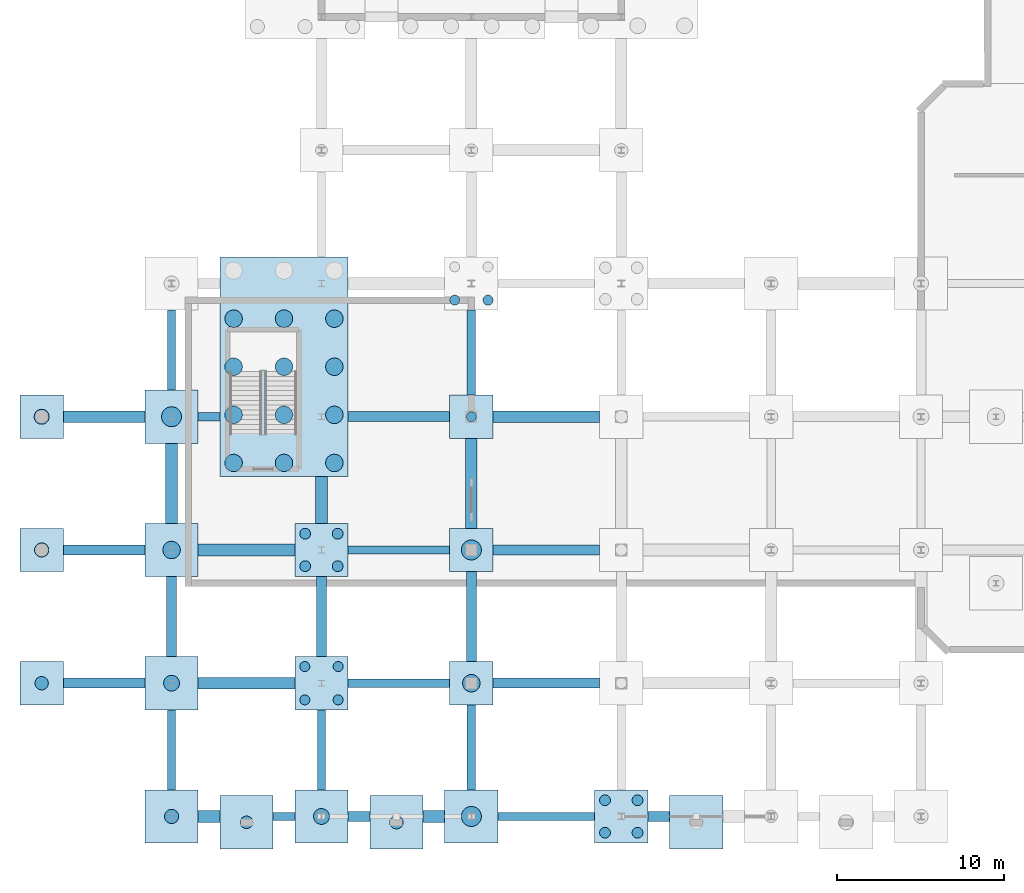
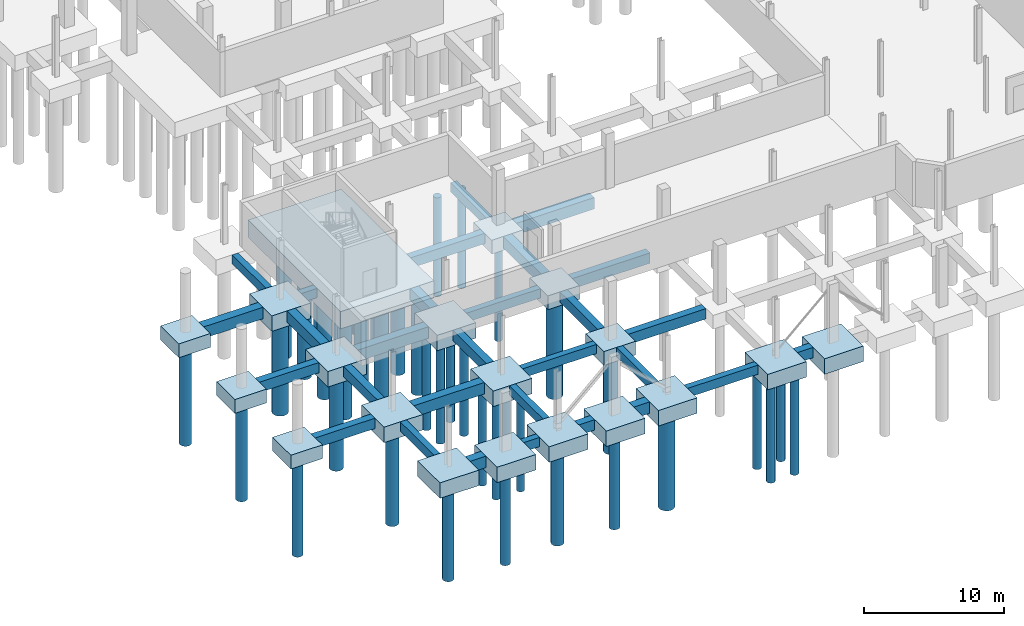
# One storey, part 1 of 37: 48 footings, 40 piles.
"""IFC4 building model written with IfcOpenShell, lengths in metres."""

from ifc_helpers import new_model, si_unit, direction, frame, origin, origin_2d, place, context, subcontext, project, spatial, polyline, rectangle, circle, outline, extrude, material, material_profile, profile_set, type_object, element, save


model = new_model("IFC4")

# Units and contexts
model_context = context("Model", 3, precision=1e-05, world=origin(), true_north=direction((0.0, 1.0)))
body_context = subcontext(model_context, "Body", "Model", "MODEL_VIEW")
ifc_project = project(units=[si_unit("LENGTHUNIT", "METRE"), si_unit("AREAUNIT", "SQUARE_METRE"), si_unit("VOLUMEUNIT", "CUBIC_METRE"), si_unit("PLANEANGLEUNIT", "RADIAN"), si_unit("MASSUNIT", "GRAM", prefix="KILO"), si_unit("THERMODYNAMICTEMPERATUREUNIT", "KELVIN"), si_unit("POWERUNIT", "WATT")], contexts=[model_context])

# Site, building, storey
site_placement = place(None, origin())
site = spatial("IfcSite", under=ifc_project, at=site_placement, CompositionType="ELEMENT")
building_placement = place(site_placement, origin())
building = spatial("IfcBuilding", under=site, at=building_placement, Name="Zelmaris Science Centre", CompositionType="ELEMENT")
storey_placement = place(building_placement, frame((0.0, 0.0, -4.800048828125)))
storey = spatial("IfcBuildingStorey", under=building, at=storey_placement, Name="B1", CompositionType="ELEMENT", Elevation=-4.800048828125)

# Footings
ifc_material = material(Name="Concrete C40/50", Category="concrete")
ifc_material_profile_1 = material_profile(ifc_material, rectangle(XDim=0.5, YDim=0.800048828125, at=origin_2d()), Name="FB-500X800")
ifc_profile_set_1 = profile_set([ifc_material_profile_1], Name="Concrete C40/50")
footing_type_1 = type_object("IfcFootingType", Name="Foundation Tie Beam FB-01 500x800", PredefinedType="FOOTING_BEAM", material=ifc_profile_set_1)
for number, where, z_axis, x_axis, name in (
    (1, (9.0, 9.60009765625, -0.75), (0.0, 1.0, 0.0), (-1.0, 0.0, 0.0), "Foundation tie beam 1"),
    (2, (9.0, 33.60009765625, -0.75), (0.0, 1.0, 0.0), (-1.0, 0.0, 0.0), "Foundation tie beam 4"),
    (3, (18.0, 9.60009765625, -0.75), (0.0, 1.0, 0.0), (-1.0, 0.0, 0.0), "Foundation tie beam 7"),
):
    element("IfcFooting", number, at=place(storey_placement, frame(where, z_axis=z_axis, x_axis=x_axis)), inside=storey, type_object=footing_type_1, Name=name, PredefinedType="FOOTING_BEAM", context=body_context, shape_type="SweptSolid", body=[
        extrude(rectangle(XDim=0.5, YDim=0.800048828125, at=origin_2d()), origin(), (0.0, 0.0, 1.0), 4.7998046875),
    ])
for number, where, z_axis, x_axis, name in (
    (4, (27.0, 9.60009765625, -0.75), (0.0, 1.0, 0.0), (-1.0, 0.0, 0.0), "Foundation tie beam 13"),
    (5, (27.0, 33.300048828125, -0.75), (0.0, 1.0, 0.0), (-1.0, 0.0, 0.0), "Foundation tie beam 16"),
):
    element("IfcFooting", number, at=place(storey_placement, frame(where, z_axis=z_axis, x_axis=x_axis)), inside=storey, type_object=footing_type_1, Name=name, PredefinedType="FOOTING_BEAM", context=body_context, shape_type="SweptSolid", body=[
        extrude(rectangle(XDim=0.5, YDim=0.800048828125, at=origin_2d()), origin(), (0.0, 0.0, 1.0), 5.099853515625),
    ])
footing_1_placement = place(storey_placement, frame((15.10009765625, 8.0, -0.75), z_axis=(1.0, 0.0, 0.0), x_axis=(0.0, 1.0, 0.0)))
element("IfcFooting", 6, at=footing_1_placement, inside=storey, type_object=footing_type_1, Name="Foundation tie beam 85", PredefinedType="FOOTING_BEAM", context=body_context, shape_type="SweptSolid", body=[
    extrude(rectangle(XDim=0.5, YDim=0.800048828125, at=origin_2d()), origin(), (0.0, 0.0, 1.0), 1.2998046875),
])
footing_2_placement = place(storey_placement, frame((28.60009765625, 8.0, -0.75), z_axis=(1.0, 0.0, 0.0), x_axis=(0.0, 1.0, 0.0)))
element("IfcFooting", 7, at=footing_2_placement, inside=storey, type_object=footing_type_1, Name="Foundation tie beam 88", PredefinedType="FOOTING_BEAM", context=body_context, shape_type="SweptSolid", body=[
    extrude(rectangle(XDim=0.5, YDim=0.800048828125, at=origin_2d()), origin(), (0.0, 0.0, 1.0), 5.7998046875),
])
for number, where, z_axis, x_axis, name in (
    (8, (19.60009765625, 16.0, -0.75), (1.0, 0.0, 0.0), (0.0, 1.0, 0.0), "Foundation tie beam 100"),
    (9, (19.60009765625, 24.0, -0.75), (1.0, 0.0, 0.0), (0.0, 1.0, 0.0), "Foundation tie beam 112"),
):
    element("IfcFooting", number, at=place(storey_placement, frame(where, z_axis=z_axis, x_axis=x_axis)), inside=storey, type_object=footing_type_1, Name=name, PredefinedType="FOOTING_BEAM", context=body_context, shape_type="SweptSolid", body=[
        extrude(rectangle(XDim=0.5, YDim=0.800048828125, at=origin_2d()), origin(), (0.0, 0.0, 1.0), 6.099853515625),
    ])
footing_3_placement = place(storey_placement, frame((10.60009765625, 32.0, -0.75), z_axis=(1.0, 0.0, 0.0), x_axis=(0.0, 1.0, 0.0)))
element("IfcFooting", 10, at=footing_3_placement, inside=storey, type_object=footing_type_1, Name="Foundation tie beam 127", PredefinedType="FOOTING_BEAM", context=body_context, shape_type="SweptSolid", body=[
    extrude(rectangle(XDim=0.5, YDim=0.800048828125, at=origin_2d()), origin(), (0.0, 0.0, 1.0), 1.2998046875),
])
ifc_material_profile_2 = material_profile(ifc_material, rectangle(XDim=0.60009765625, YDim=0.89990234375, at=origin_2d()), Name="FB-600X900")
ifc_profile_set_2 = profile_set([ifc_material_profile_2], Name="Concrete C40/50")
footing_type_2 = type_object("IfcFootingType", Name="Foundation Tie Beam FB-02 600x900", PredefinedType="FOOTING_BEAM", material=ifc_profile_set_2)
for number, where, z_axis, x_axis, name in (
    (11, (9.0, 17.60009765625, -0.800048828125), (0.0, 1.0, 0.0), (-1.0, 0.0, 0.0), "Foundation tie beam 2"),
    (12, (18.0, 17.60009765625, -0.800048828125), (0.0, 1.0, 0.0), (-1.0, 0.0, 0.0), "Foundation tie beam 8"),
):
    element("IfcFooting", number, at=place(storey_placement, frame(where, z_axis=z_axis, x_axis=x_axis)), inside=storey, type_object=footing_type_2, Name=name, PredefinedType="FOOTING_BEAM", context=body_context, shape_type="SweptSolid", body=[
        extrude(rectangle(XDim=0.60009765625, YDim=0.89990234375, at=origin_2d()), origin(), (0.0, 0.0, 1.0), 4.7998046875),
    ])
footing_4_placement = place(storey_placement, frame((27.0, 17.300048828125, -0.800048828125), z_axis=(0.0, 1.0, 0.0), x_axis=(-1.0, 0.0, 0.0)))
element("IfcFooting", 13, at=footing_4_placement, inside=storey, type_object=footing_type_2, Name="Foundation tie beam 14", PredefinedType="FOOTING_BEAM", context=body_context, shape_type="SweptSolid", body=[
    extrude(rectangle(XDim=0.60009765625, YDim=0.89990234375, at=origin_2d()), origin(), (0.0, 0.0, 1.0), 5.39990234375),
])
for number, where, z_axis, x_axis, name in (
    (14, (19.60009765625, 8.0, -0.800048828125), (1.0, 0.0, 0.0), (0.0, 1.0, 0.0), "Foundation tie beam 86"),
    (15, (37.60009765625, 8.0, -0.800048828125), (1.0, 0.0, 0.0), (0.0, 1.0, 0.0), "Foundation tie beam 89"),
):
    element("IfcFooting", number, at=place(storey_placement, frame(where, z_axis=z_axis, x_axis=x_axis)), inside=storey, type_object=footing_type_2, Name=name, PredefinedType="FOOTING_BEAM", context=body_context, shape_type="SweptSolid", body=[
        extrude(rectangle(XDim=0.60009765625, YDim=0.89990234375, at=origin_2d()), origin(), (0.0, 0.0, 1.0), 1.2998046875),
    ])
footing_5_placement = place(storey_placement, frame((2.5, 16.0, -0.800048828125), z_axis=(1.0, 0.0, 0.0), x_axis=(0.0, 1.0, 0.0)))
element("IfcFooting", 16, at=footing_5_placement, inside=storey, type_object=footing_type_2, Name="Foundation tie beam 98", PredefinedType="FOOTING_BEAM", context=body_context, shape_type="SweptSolid", body=[
    extrude(rectangle(XDim=0.60009765625, YDim=0.89990234375, at=origin_2d()), origin(), (0.0, 0.0, 1.0), 4.89990234375),
])
footing_6_placement = place(storey_placement, frame((28.300048828125, 16.0, -0.800048828125), z_axis=(1.0, 0.0, 0.0), x_axis=(0.0, 1.0, 0.0)))
element("IfcFooting", 17, at=footing_6_placement, inside=storey, type_object=footing_type_2, Name="Foundation tie beam 101", PredefinedType="FOOTING_BEAM", context=body_context, shape_type="SweptSolid", body=[
    extrude(rectangle(XDim=0.60009765625, YDim=0.89990234375, at=origin_2d()), origin(), (0.0, 0.0, 1.0), 6.39990234375),
])
footing_7_placement = place(storey_placement, frame((2.5, 24.0, -0.800048828125), z_axis=(1.0, 0.0, 0.0), x_axis=(0.0, 1.0, 0.0)))
element("IfcFooting", 18, at=footing_7_placement, inside=storey, type_object=footing_type_2, Name="Foundation tie beam 110", PredefinedType="FOOTING_BEAM", context=body_context, shape_type="SweptSolid", body=[
    extrude(rectangle(XDim=0.60009765625, YDim=0.89990234375, at=origin_2d()), origin(), (0.0, 0.0, 1.0), 4.89990234375),
])
footing_8_placement = place(storey_placement, frame((28.300048828125, 24.0, -0.800048828125), z_axis=(1.0, 0.0, 0.0), x_axis=(0.0, 1.0, 0.0)))
element("IfcFooting", 19, at=footing_8_placement, inside=storey, type_object=footing_type_2, Name="Foundation tie beam 113", PredefinedType="FOOTING_BEAM", context=body_context, shape_type="SweptSolid", body=[
    extrude(rectangle(XDim=0.60009765625, YDim=0.89990234375, at=origin_2d()), origin(), (0.0, 0.0, 1.0), 6.39990234375),
])
footing_9_placement = place(storey_placement, frame((19.60009765625, 32.0, -0.800048828125), z_axis=(1.0, 0.0, 0.0), x_axis=(0.0, 1.0, 0.0)))
element("IfcFooting", 20, at=footing_9_placement, inside=storey, type_object=footing_type_2, Name="Foundation tie beam 128", PredefinedType="FOOTING_BEAM", context=body_context, shape_type="SweptSolid", body=[
    extrude(rectangle(XDim=0.60009765625, YDim=0.89990234375, at=origin_2d()), origin(), (0.0, 0.0, 1.0), 6.099853515625),
])
ifc_material_profile_3 = material_profile(ifc_material, rectangle(XDim=0.699951171875, YDim=1.0, at=origin_2d()), Name="FB-700X1000")
ifc_profile_set_3 = profile_set([ifc_material_profile_3], Name="Concrete C40/50")
footing_type_3 = type_object("IfcFootingType", Name="Foundation Tie Beam FB-03 700x1000", PredefinedType="FOOTING_BEAM", material=ifc_profile_set_3)
footing_10_placement = place(storey_placement, frame((9.0, 25.60009765625, -0.849853515625), z_axis=(0.0, 1.0, 0.0), x_axis=(-1.0, 0.0, 0.0)))
element("IfcFooting", 21, at=footing_10_placement, inside=storey, type_object=footing_type_3, Name="Foundation tie beam 3", PredefinedType="FOOTING_BEAM", context=body_context, shape_type="SweptSolid", body=[
    extrude(rectangle(XDim=0.699951171875, YDim=1.0, at=origin_2d()), origin(), (0.0, 0.0, 1.0), 4.7998046875),
])
footing_11_placement = place(storey_placement, frame((18.0, 25.60009765625, -0.849853515625), z_axis=(0.0, 1.0, 0.0), x_axis=(-1.0, 0.0, 0.0)))
element("IfcFooting", 22, at=footing_11_placement, inside=storey, type_object=footing_type_3, Name="Foundation tie beam 9", PredefinedType="FOOTING_BEAM", context=body_context, shape_type="SweptSolid", body=[
    extrude(rectangle(XDim=0.699951171875, YDim=1.0, at=origin_2d()), origin(), (0.0, 0.0, 1.0), 2.7998046875),
])
footing_12_placement = place(storey_placement, frame((27.0, 25.300048828125, -0.849853515625), z_axis=(0.0, 1.0, 0.0), x_axis=(-1.0, 0.0, 0.0)))
element("IfcFooting", 23, at=footing_12_placement, inside=storey, type_object=footing_type_3, Name="Foundation tie beam 15", PredefinedType="FOOTING_BEAM", context=body_context, shape_type="SweptSolid", body=[
    extrude(rectangle(XDim=0.699951171875, YDim=1.0, at=origin_2d()), origin(), (0.0, 0.0, 1.0), 5.39990234375),
])
for number, where, z_axis, x_axis, name in (
    (24, (10.60009765625, 8.0, -0.849853515625), (1.0, 0.0, 0.0), (0.0, 1.0, 0.0), "Foundation tie beam 84"),
    (25, (24.10009765625, 8.0, -0.849853515625), (1.0, 0.0, 0.0), (0.0, 1.0, 0.0), "Foundation tie beam 87"),
):
    element("IfcFooting", number, at=place(storey_placement, frame(where, z_axis=z_axis, x_axis=x_axis)), inside=storey, type_object=footing_type_3, Name=name, PredefinedType="FOOTING_BEAM", context=body_context, shape_type="SweptSolid", body=[
        extrude(rectangle(XDim=0.699951171875, YDim=1.0, at=origin_2d()), origin(), (0.0, 0.0, 1.0), 1.2998046875),
    ])
for number, where, z_axis, x_axis, name in (
    (26, (10.60009765625, 16.0, -0.849853515625), (1.0, 0.0, 0.0), (0.0, 1.0, 0.0), "Foundation tie beam 99"),
    (27, (10.60009765625, 24.0, -0.849853515625), (1.0, 0.0, 0.0), (0.0, 1.0, 0.0), "Foundation tie beam 111"),
):
    element("IfcFooting", number, at=place(storey_placement, frame(where, z_axis=z_axis, x_axis=x_axis)), inside=storey, type_object=footing_type_3, Name=name, PredefinedType="FOOTING_BEAM", context=body_context, shape_type="SweptSolid", body=[
        extrude(rectangle(XDim=0.699951171875, YDim=1.0, at=origin_2d()), origin(), (0.0, 0.0, 1.0), 5.7998046875),
    ])
footing_13_placement = place(storey_placement, frame((2.5, 32.0, -0.849853515625), z_axis=(1.0, 0.0, 0.0), x_axis=(0.0, 1.0, 0.0)))
element("IfcFooting", 28, at=footing_13_placement, inside=storey, type_object=footing_type_3, Name="Foundation tie beam 126", PredefinedType="FOOTING_BEAM", context=body_context, shape_type="SweptSolid", body=[
    extrude(rectangle(XDim=0.699951171875, YDim=1.0, at=origin_2d()), origin(), (0.0, 0.0, 1.0), 4.89990234375),
])
footing_14_placement = place(storey_placement, frame((28.300048828125, 32.0, -0.849853515625), z_axis=(1.0, 0.0, 0.0), x_axis=(0.0, 1.0, 0.0)))
element("IfcFooting", 29, at=footing_14_placement, inside=storey, type_object=footing_type_3, Name="Foundation tie beam 129", PredefinedType="FOOTING_BEAM", context=body_context, shape_type="SweptSolid", body=[
    extrude(rectangle(XDim=0.699951171875, YDim=1.0, at=origin_2d()), origin(), (0.0, 0.0, 1.0), 6.39990234375),
])
footing_type_4 = type_object("IfcFootingType", Name="Pile Cap PCM-2626 2600x2600x1200", PredefinedType="PILE_CAP", material=ifc_material)
footing_15_placement = place(storey_placement, frame((0.0, 0.0, -1.550048828125)))
element("IfcFooting", 30, at=footing_15_placement, inside=storey, type_object=footing_type_4, Name="Pile cap 39", PredefinedType="PILE_CAP", context=body_context, shape_type="SweptSolid", body=[
    extrude(outline(polyline([(25.699951171875, 14.699951171875), (28.300048828125, 14.699951171875), (28.300048828125, 17.300048828125), (25.699951171875, 17.300048828125), (25.699951171875, 14.699951171875)])), origin(), (0.0, 0.0, 1.0), 1.2001953125),
])
footing_16_placement = place(storey_placement, frame((0.0, 0.0, -1.550048828125)))
element("IfcFooting", 31, at=footing_16_placement, inside=storey, type_object=footing_type_4, Name="Pile cap 40", PredefinedType="PILE_CAP", context=body_context, shape_type="SweptSolid", body=[
    extrude(outline(polyline([(25.699951171875, 22.699951171875), (28.300048828125, 22.699951171875), (28.300048828125, 25.300048828125), (25.699951171875, 25.300048828125), (25.699951171875, 22.699951171875)])), origin(), (0.0, 0.0, 1.0), 1.2001953125),
])
footing_17_placement = place(storey_placement, frame((0.0, 0.0, -1.550048828125)))
element("IfcFooting", 32, at=footing_17_placement, inside=storey, type_object=footing_type_4, Name="Pile cap 41", PredefinedType="PILE_CAP", context=body_context, shape_type="SweptSolid", body=[
    extrude(outline(polyline([(25.699951171875, 30.699951171875), (28.300048828125, 30.699951171875), (28.300048828125, 33.300048828125), (25.699951171875, 33.300048828125), (25.699951171875, 30.699951171875)])), origin(), (0.0, 0.0, 1.0), 1.2001953125),
])
footing_18_placement = place(storey_placement, frame((0.0, 0.0, -1.550048828125)))
element("IfcFooting", 33, at=footing_18_placement, inside=storey, type_object=footing_type_4, Name="Pile cap 45", PredefinedType="PILE_CAP", context=body_context, shape_type="SweptSolid", body=[
    extrude(outline(polyline([(-0.10009765625, 14.699951171875), (2.5, 14.699951171875), (2.5, 17.300048828125), (-0.10009765625, 17.300048828125), (-0.10009765625, 14.699951171875)])), origin(), (0.0, 0.0, 1.0), 1.2001953125),
])
footing_19_placement = place(storey_placement, frame((0.0, 0.0, -1.550048828125)))
element("IfcFooting", 34, at=footing_19_placement, inside=storey, type_object=footing_type_4, Name="Pile cap 46", PredefinedType="PILE_CAP", context=body_context, shape_type="SweptSolid", body=[
    extrude(outline(polyline([(-0.10009765625, 22.699951171875), (2.5, 22.699951171875), (2.5, 25.300048828125), (-0.10009765625, 25.300048828125), (-0.10009765625, 22.699951171875)])), origin(), (0.0, 0.0, 1.0), 1.2001953125),
])
footing_20_placement = place(storey_placement, frame((0.0, 0.0, -1.550048828125)))
element("IfcFooting", 35, at=footing_20_placement, inside=storey, type_object=footing_type_4, Name="Pile cap 47", PredefinedType="PILE_CAP", context=body_context, shape_type="SweptSolid", body=[
    extrude(outline(polyline([(-0.10009765625, 30.699951171875), (2.5, 30.699951171875), (2.5, 33.300048828125), (-0.10009765625, 33.300048828125), (-0.10009765625, 30.699951171875)])), origin(), (0.0, 0.0, 1.0), 1.2001953125),
])
footing_type_5 = type_object("IfcFootingType", Name="Pile Cap PCM-3232 3200x3200x1350", PredefinedType="PILE_CAP", material=ifc_material)
footing_21_placement = place(storey_placement, frame((0.0, 0.0, -1.699951171875)))
element("IfcFooting", 36, at=footing_21_placement, inside=storey, type_object=footing_type_5, Name="Pile cap 16", PredefinedType="PILE_CAP", context=body_context, shape_type="SweptSolid", body=[
    extrude(outline(polyline([(7.39990234375, 6.39990234375), (10.60009765625, 6.39990234375), (10.60009765625, 9.60009765625), (7.39990234375, 9.60009765625), (7.39990234375, 6.39990234375)])), origin(), (0.0, 0.0, 1.0), 1.35009765625),
])
footing_22_placement = place(storey_placement, frame((0.0, 0.0, -1.699951171875)))
element("IfcFooting", 37, at=footing_22_placement, inside=storey, type_object=footing_type_5, Name="Pile cap 18", PredefinedType="PILE_CAP", context=body_context, shape_type="SweptSolid", body=[
    extrude(outline(polyline([(16.39990234375, 6.39990234375), (19.60009765625, 6.39990234375), (19.60009765625, 9.60009765625), (16.39990234375, 9.60009765625), (16.39990234375, 6.39990234375)])), origin(), (0.0, 0.0, 1.0), 1.35009765625),
])
footing_23_placement = place(storey_placement, frame((0.0, 0.0, -1.699951171875)))
element("IfcFooting", 38, at=footing_23_placement, inside=storey, type_object=footing_type_5, Name="Pile cap 20", PredefinedType="PILE_CAP", context=body_context, shape_type="SweptSolid", body=[
    extrude(outline(polyline([(25.39990234375, 6.39990234375), (28.60009765625, 6.39990234375), (28.60009765625, 9.60009765625), (25.39990234375, 9.60009765625), (25.39990234375, 6.39990234375)])), origin(), (0.0, 0.0, 1.0), 1.35009765625),
])
footing_24_placement = place(storey_placement, frame((0.0, 0.0, -1.699951171875)))
element("IfcFooting", 39, at=footing_24_placement, inside=storey, type_object=footing_type_5, Name="Pile cap 22", PredefinedType="PILE_CAP", context=body_context, shape_type="SweptSolid", body=[
    extrude(outline(polyline([(34.39990234375, 6.39990234375), (37.60009765625, 6.39990234375), (37.60009765625, 9.60009765625), (34.39990234375, 9.60009765625), (34.39990234375, 6.39990234375)])), origin(), (0.0, 0.0, 1.0), 1.35009765625),
])
footing_25_placement = place(storey_placement, frame((0.0, 0.0, -1.699951171875)))
element("IfcFooting", 40, at=footing_25_placement, inside=storey, type_object=footing_type_5, Name="Pile cap 28", PredefinedType="PILE_CAP", context=body_context, shape_type="SweptSolid", body=[
    extrude(outline(polyline([(7.39990234375, 14.39990234375), (10.60009765625, 14.39990234375), (10.60009765625, 17.60009765625), (7.39990234375, 17.60009765625), (7.39990234375, 14.39990234375)])), origin(), (0.0, 0.0, 1.0), 1.35009765625),
])
footing_26_placement = place(storey_placement, frame((0.0, 0.0, -1.699951171875)))
element("IfcFooting", 41, at=footing_26_placement, inside=storey, type_object=footing_type_5, Name="Pile cap 29", PredefinedType="PILE_CAP", context=body_context, shape_type="SweptSolid", body=[
    extrude(outline(polyline([(7.39990234375, 22.39990234375), (10.60009765625, 22.39990234375), (10.60009765625, 25.60009765625), (7.39990234375, 25.60009765625), (7.39990234375, 22.39990234375)])), origin(), (0.0, 0.0, 1.0), 1.35009765625),
])
footing_27_placement = place(storey_placement, frame((0.0, 0.0, -1.699951171875)))
element("IfcFooting", 42, at=footing_27_placement, inside=storey, type_object=footing_type_5, Name="Pile cap 30", PredefinedType="PILE_CAP", context=body_context, shape_type="SweptSolid", body=[
    extrude(outline(polyline([(7.39990234375, 30.39990234375), (10.60009765625, 30.39990234375), (10.60009765625, 33.60009765625), (7.39990234375, 33.60009765625), (7.39990234375, 30.39990234375)])), origin(), (0.0, 0.0, 1.0), 1.35009765625),
])
footing_28_placement = place(storey_placement, frame((0.0, 0.0, -1.699951171875)))
element("IfcFooting", 43, at=footing_28_placement, inside=storey, type_object=footing_type_5, Name="Pile cap 31", PredefinedType="PILE_CAP", context=body_context, shape_type="SweptSolid", body=[
    extrude(outline(polyline([(16.39990234375, 14.39990234375), (19.60009765625, 14.39990234375), (19.60009765625, 17.60009765625), (16.39990234375, 17.60009765625), (16.39990234375, 14.39990234375)])), origin(), (0.0, 0.0, 1.0), 1.35009765625),
])
footing_29_placement = place(storey_placement, frame((0.0, 0.0, -1.699951171875)))
element("IfcFooting", 44, at=footing_29_placement, inside=storey, type_object=footing_type_5, Name="Pile cap 32", PredefinedType="PILE_CAP", context=body_context, shape_type="SweptSolid", body=[
    extrude(outline(polyline([(16.39990234375, 22.39990234375), (19.60009765625, 22.39990234375), (19.60009765625, 25.60009765625), (16.39990234375, 25.60009765625), (16.39990234375, 22.39990234375)])), origin(), (0.0, 0.0, 1.0), 1.35009765625),
])
footing_30_placement = place(storey_placement, frame((0.0, 0.0, -1.699951171875)))
element("IfcFooting", 45, at=footing_30_placement, inside=storey, type_object=footing_type_5, Name="Pile cap 124", PredefinedType="PILE_CAP", context=body_context, shape_type="SweptSolid", body=[
    extrude(outline(polyline([(11.89990234375, 6.050048828125), (15.10009765625, 6.050048828125), (15.10009765625, 9.25), (11.89990234375, 9.25), (11.89990234375, 6.050048828125)])), origin(), (0.0, 0.0, 1.0), 1.35009765625),
])
footing_31_placement = place(storey_placement, frame((0.0, 0.0, -1.699951171875)))
element("IfcFooting", 46, at=footing_31_placement, inside=storey, type_object=footing_type_5, Name="Pile cap 125", PredefinedType="PILE_CAP", context=body_context, shape_type="SweptSolid", body=[
    extrude(outline(polyline([(20.89990234375, 6.050048828125), (24.10009765625, 6.050048828125), (24.10009765625, 9.25), (20.89990234375, 9.25), (20.89990234375, 6.050048828125)])), origin(), (0.0, 0.0, 1.0), 1.35009765625),
])
footing_32_placement = place(storey_placement, frame((0.0, 0.0, -1.699951171875)))
element("IfcFooting", 47, at=footing_32_placement, inside=storey, type_object=footing_type_5, Name="Pile cap 126", PredefinedType="PILE_CAP", context=body_context, shape_type="SweptSolid", body=[
    extrude(outline(polyline([(38.89990234375, 6.050048828125), (42.10009765625, 6.050048828125), (42.10009765625, 9.25), (38.89990234375, 9.25), (38.89990234375, 6.050048828125)])), origin(), (0.0, 0.0, 1.0), 1.35009765625),
])
footing_type_6 = type_object("IfcFootingType", Name="Pile Cap PCM-77132 7700x13200x1500", PredefinedType="PILE_CAP", material=ifc_material)
footing_33_placement = place(storey_placement, frame((0.0, 0.0, -1.849853515625)))
element("IfcFooting", 48, at=footing_33_placement, inside=storey, type_object=footing_type_6, Name="Pile cap 19", PredefinedType="PILE_CAP", context=body_context, shape_type="SweptSolid", body=[
    extrude(outline(polyline([(11.89990234375, 28.39990234375), (19.60009765625, 28.39990234375), (19.60009765625, 41.60009765625), (11.89990234375, 41.60009765625), (11.89990234375, 28.39990234375)])), origin(), (0.0, 0.0, 1.0), 1.5),
])

# Piles
ifc_material_profile_4 = material_profile(ifc_material, circle(Radius=0.52490234375, at=origin_2d()), Name="PILE-1050")
ifc_profile_set_4 = profile_set([ifc_material_profile_4], Name="Concrete C40/50")
pile_type_1 = type_object("IfcPileType", Name="Pile PL-1050 D1050", PredefinedType="BORED", material=ifc_profile_set_4)
for number, where, z_axis, x_axis, name in (
    (49, (12.72509765625, 29.22509765625, -1.72998046875), (0.0, 0.0, -1.0), (1.0, 0.0, 0.0), "Bored pile 19-1"),
    (50, (12.72509765625, 32.112548828125, -1.72998046875), (0.0, 0.0, -1.0), (1.0, 0.0, 0.0), "Bored pile 19-2"),
    (51, (12.72509765625, 35.0, -1.72998046875), (0.0, 0.0, -1.0), (1.0, 0.0, 0.0), "Bored pile 19-3"),
    (52, (12.72509765625, 37.887451171875, -1.72998046875), (0.0, 0.0, -1.0), (1.0, 0.0, 0.0), "Bored pile 19-4"),
    (53, (15.75, 29.22509765625, -1.72998046875), (0.0, 0.0, -1.0), (1.0, 0.0, 0.0), "Bored pile 19-6"),
    (54, (15.75, 32.112548828125, -1.72998046875), (0.0, 0.0, -1.0), (1.0, 0.0, 0.0), "Bored pile 19-7"),
    (55, (15.75, 35.0, -1.72998046875), (0.0, 0.0, -1.0), (1.0, 0.0, 0.0), "Bored pile 19-8"),
    (56, (15.75, 37.887451171875, -1.72998046875), (0.0, 0.0, -1.0), (1.0, 0.0, 0.0), "Bored pile 19-9"),
    (57, (18.77490234375, 29.22509765625, -1.72998046875), (0.0, 0.0, -1.0), (1.0, 0.0, 0.0), "Bored pile 19-11"),
    (58, (18.77490234375, 32.112548828125, -1.72998046875), (0.0, 0.0, -1.0), (1.0, 0.0, 0.0), "Bored pile 19-12"),
    (59, (18.77490234375, 35.0, -1.72998046875), (0.0, 0.0, -1.0), (1.0, 0.0, 0.0), "Bored pile 19-13"),
    (60, (18.77490234375, 37.887451171875, -1.72998046875), (0.0, 0.0, -1.0), (1.0, 0.0, 0.0), "Bored pile 19-14"),
):
    element("IfcPile", number, at=place(storey_placement, frame(where, z_axis=z_axis, x_axis=x_axis)), inside=storey, type_object=pile_type_1, Name=name, PredefinedType="BORED", context=body_context, shape_type="SweptSolid", body=[
        extrude(circle(Radius=0.52490234375, at=origin_2d()), origin(), (0.0, 0.0, 1.0), 8.469970703125),
    ])
pile_1_placement = place(storey_placement, frame((9.0, 24.0, -1.579833984375), z_axis=(0.0, 0.0, -1.0), x_axis=(1.0, 0.0, 0.0)))
element("IfcPile", 61, at=pile_1_placement, inside=storey, type_object=pile_type_1, Name="Bored pile 29-1", PredefinedType="BORED", context=body_context, shape_type="SweptSolid", body=[
    extrude(circle(Radius=0.52490234375, at=origin_2d()), origin(), (0.0, 0.0, 1.0), 8.6201171875),
])
pile_2_placement = place(storey_placement, frame((27.0, 16.0, -1.429931640625), z_axis=(0.0, 0.0, -1.0), x_axis=(1.0, 0.0, 0.0)))
element("IfcPile", 62, at=pile_2_placement, inside=storey, type_object=pile_type_1, Name="Bored pile 39-1", PredefinedType="BORED", context=body_context, shape_type="SweptSolid", body=[
    extrude(circle(Radius=0.52490234375, at=origin_2d()), origin(), (0.0, 0.0, 1.0), 8.77001953125),
])
ifc_material_profile_5 = material_profile(ifc_material, circle(Radius=0.60009765625, at=origin_2d()), Name="PILE-1200")
ifc_profile_set_5 = profile_set([ifc_material_profile_5], Name="Concrete C40/50")
pile_type_2 = type_object("IfcPileType", Name="Pile PL-1200 D1200", PredefinedType="BORED", material=ifc_profile_set_5)
for number, where, z_axis, x_axis, name in (
    (63, (27.0, 8.0, -1.579833984375), (0.0, 0.0, -1.0), (1.0, 0.0, 0.0), "Bored pile 20-1"),
    (64, (9.0, 32.0, -1.579833984375), (0.0, 0.0, -1.0), (1.0, 0.0, 0.0), "Bored pile 30-1"),
):
    element("IfcPile", number, at=place(storey_placement, frame(where, z_axis=z_axis, x_axis=x_axis)), inside=storey, type_object=pile_type_2, Name=name, PredefinedType="BORED", context=body_context, shape_type="SweptSolid", body=[
        extrude(circle(Radius=0.60009765625, at=origin_2d()), origin(), (0.0, 0.0, 1.0), 8.6201171875),
    ])
pile_3_placement = place(storey_placement, frame((27.0, 24.0, -1.429931640625), z_axis=(0.0, 0.0, -1.0), x_axis=(1.0, 0.0, 0.0)))
element("IfcPile", 65, at=pile_3_placement, inside=storey, type_object=pile_type_2, Name="Bored pile 40-1", PredefinedType="BORED", context=body_context, shape_type="SweptSolid", body=[
    extrude(circle(Radius=0.60009765625, at=origin_2d()), origin(), (0.0, 0.0, 1.0), 8.77001953125),
])
ifc_material_profile_6 = material_profile(ifc_material, circle(Radius=0.300048828125, at=origin_2d()), Name="PILE-600")
ifc_profile_set_6 = profile_set([ifc_material_profile_6], Name="Concrete C40/50")
pile_type_3 = type_object("IfcPileType", Name="Pile PL-600 D600", PredefinedType="BORED", material=ifc_profile_set_6)
for number, where, z_axis, x_axis, name in (
    (66, (26.0, 39.0, -1.579833984375), (0.0, 0.0, -1.0), (1.0, 0.0, 0.0), "Bored pile 21-1"),
    (67, (28.0, 39.0, -1.579833984375), (0.0, 0.0, -1.0), (1.0, 0.0, 0.0), "Bored pile 21-3"),
    (68, (17.0, 15.0, -1.579833984375), (0.0, 0.0, -1.0), (1.0, 0.0, 0.0), "Bored pile 31-1"),
    (69, (17.0, 17.0, -1.579833984375), (0.0, 0.0, -1.0), (1.0, 0.0, 0.0), "Bored pile 31-2"),
    (70, (19.0, 15.0, -1.579833984375), (0.0, 0.0, -1.0), (1.0, 0.0, 0.0), "Bored pile 31-3"),
    (71, (19.0, 17.0, -1.579833984375), (0.0, 0.0, -1.0), (1.0, 0.0, 0.0), "Bored pile 31-4"),
):
    element("IfcPile", number, at=place(storey_placement, frame(where, z_axis=z_axis, x_axis=x_axis)), inside=storey, type_object=pile_type_3, Name=name, PredefinedType="BORED", context=body_context, shape_type="SweptSolid", body=[
        extrude(circle(Radius=0.300048828125, at=origin_2d()), origin(), (0.0, 0.0, 1.0), 8.6201171875),
    ])
pile_4_placement = place(storey_placement, frame((27.0, 32.0, -1.429931640625), z_axis=(0.0, 0.0, -1.0), x_axis=(1.0, 0.0, 0.0)))
element("IfcPile", 72, at=pile_4_placement, inside=storey, type_object=pile_type_3, Name="Bored pile 41-1", PredefinedType="BORED", context=body_context, shape_type="SweptSolid", body=[
    extrude(circle(Radius=0.300048828125, at=origin_2d()), origin(), (0.0, 0.0, 1.0), 8.77001953125),
])
ifc_material_profile_7 = material_profile(ifc_material, circle(Radius=0.324951171875, at=origin_2d()), Name="PILE-650")
ifc_profile_set_7 = profile_set([ifc_material_profile_7], Name="Concrete C40/50")
pile_type_4 = type_object("IfcPileType", Name="Pile PL-650 D650", PredefinedType="BORED", material=ifc_profile_set_7)
for number, where, z_axis, x_axis, name in (
    (73, (35.02490234375, 7.02490234375, -1.579833984375), (0.0, 0.0, -1.0), (1.0, 0.0, 0.0), "Bored pile 22-1"),
    (74, (35.02490234375, 8.97509765625, -1.579833984375), (0.0, 0.0, -1.0), (1.0, 0.0, 0.0), "Bored pile 22-2"),
    (75, (36.97509765625, 7.02490234375, -1.579833984375), (0.0, 0.0, -1.0), (1.0, 0.0, 0.0), "Bored pile 22-3"),
    (76, (36.97509765625, 8.97509765625, -1.579833984375), (0.0, 0.0, -1.0), (1.0, 0.0, 0.0), "Bored pile 22-4"),
    (77, (17.02490234375, 23.02490234375, -1.579833984375), (0.0, 0.0, -1.0), (1.0, 0.0, 0.0), "Bored pile 32-1"),
    (78, (17.02490234375, 24.97509765625, -1.579833984375), (0.0, 0.0, -1.0), (1.0, 0.0, 0.0), "Bored pile 32-2"),
    (79, (18.97509765625, 23.02490234375, -1.579833984375), (0.0, 0.0, -1.0), (1.0, 0.0, 0.0), "Bored pile 32-3"),
    (80, (18.97509765625, 24.97509765625, -1.579833984375), (0.0, 0.0, -1.0), (1.0, 0.0, 0.0), "Bored pile 32-4"),
):
    element("IfcPile", number, at=place(storey_placement, frame(where, z_axis=z_axis, x_axis=x_axis)), inside=storey, type_object=pile_type_4, Name=name, PredefinedType="BORED", context=body_context, shape_type="SweptSolid", body=[
        extrude(circle(Radius=0.324951171875, at=origin_2d()), origin(), (0.0, 0.0, 1.0), 8.6201171875),
    ])
ifc_material_profile_8 = material_profile(ifc_material, circle(Radius=0.375, at=origin_2d()), Name="PILE-750")
ifc_profile_set_8 = profile_set([ifc_material_profile_8], Name="Concrete C40/50")
pile_type_5 = type_object("IfcPileType", Name="Pile PL-750 D750", PredefinedType="BORED", material=ifc_profile_set_8)
pile_5_placement = place(storey_placement, frame((13.5, 7.64990234375, -1.579833984375), z_axis=(0.0, 0.0, -1.0), x_axis=(1.0, 0.0, 0.0)))
element("IfcPile", 81, at=pile_5_placement, inside=storey, type_object=pile_type_5, Name="Bored pile 124-1", PredefinedType="BORED", context=body_context, shape_type="SweptSolid", body=[
    extrude(circle(Radius=0.375, at=origin_2d()), origin(), (0.0, 0.0, 1.0), 8.6201171875),
])
ifc_material_profile_9 = material_profile(ifc_material, circle(Radius=0.39990234375, at=origin_2d()), Name="PILE-800")
ifc_profile_set_9 = profile_set([ifc_material_profile_9], Name="Concrete C40/50")
pile_type_6 = type_object("IfcPileType", Name="Pile PL-800 D800", PredefinedType="BORED", material=ifc_profile_set_9)
pile_6_placement = place(storey_placement, frame((1.199951171875, 16.0, -1.429931640625), z_axis=(0.0, 0.0, -1.0), x_axis=(1.0, 0.0, 0.0)))
element("IfcPile", 82, at=pile_6_placement, inside=storey, type_object=pile_type_6, Name="Bored pile 45-1", PredefinedType="BORED", context=body_context, shape_type="SweptSolid", body=[
    extrude(circle(Radius=0.39990234375, at=origin_2d()), origin(), (0.0, 0.0, 1.0), 8.77001953125),
])
pile_7_placement = place(storey_placement, frame((22.5, 7.64990234375, -1.579833984375), z_axis=(0.0, 0.0, -1.0), x_axis=(1.0, 0.0, 0.0)))
element("IfcPile", 83, at=pile_7_placement, inside=storey, type_object=pile_type_6, Name="Bored pile 125-1", PredefinedType="BORED", context=body_context, shape_type="SweptSolid", body=[
    extrude(circle(Radius=0.39990234375, at=origin_2d()), origin(), (0.0, 0.0, 1.0), 8.6201171875),
])
ifc_material_profile_10 = material_profile(ifc_material, circle(Radius=0.425048828125, at=origin_2d()), Name="PILE-850")
ifc_profile_set_10 = profile_set([ifc_material_profile_10], Name="Concrete C40/50")
pile_type_7 = type_object("IfcPileType", Name="Pile PL-850 D850", PredefinedType="BORED", material=ifc_profile_set_10)
pile_8_placement = place(storey_placement, frame((9.0, 8.0, -1.579833984375), z_axis=(0.0, 0.0, -1.0), x_axis=(1.0, 0.0, 0.0)))
element("IfcPile", 84, at=pile_8_placement, inside=storey, type_object=pile_type_7, Name="Bored pile 16-1", PredefinedType="BORED", context=body_context, shape_type="SweptSolid", body=[
    extrude(circle(Radius=0.425048828125, at=origin_2d()), origin(), (0.0, 0.0, 1.0), 8.6201171875),
])
pile_9_placement = place(storey_placement, frame((1.199951171875, 24.0, -1.429931640625), z_axis=(0.0, 0.0, -1.0), x_axis=(1.0, 0.0, 0.0)))
element("IfcPile", 85, at=pile_9_placement, inside=storey, type_object=pile_type_7, Name="Bored pile 46-1", PredefinedType="BORED", context=body_context, shape_type="SweptSolid", body=[
    extrude(circle(Radius=0.425048828125, at=origin_2d()), origin(), (0.0, 0.0, 1.0), 8.77001953125),
])
ifc_material_profile_11 = material_profile(ifc_material, circle(Radius=0.449951171875, at=origin_2d()), Name="PILE-900")
ifc_profile_set_11 = profile_set([ifc_material_profile_11], Name="Concrete C40/50")
pile_type_8 = type_object("IfcPileType", Name="Pile PL-900 D900", PredefinedType="BORED", material=ifc_profile_set_11)
pile_10_placement = place(storey_placement, frame((1.199951171875, 32.0, -1.429931640625), z_axis=(0.0, 0.0, -1.0), x_axis=(1.0, 0.0, 0.0)))
element("IfcPile", 86, at=pile_10_placement, inside=storey, type_object=pile_type_8, Name="Bored pile 47-1", PredefinedType="BORED", context=body_context, shape_type="SweptSolid", body=[
    extrude(circle(Radius=0.449951171875, at=origin_2d()), origin(), (0.0, 0.0, 1.0), 8.77001953125),
])
ifc_material_profile_12 = material_profile(ifc_material, circle(Radius=0.47509765625, at=origin_2d()), Name="PILE-950")
ifc_profile_set_12 = profile_set([ifc_material_profile_12], Name="Concrete C40/50")
pile_type_9 = type_object("IfcPileType", Name="Pile PL-950 D950", PredefinedType="BORED", material=ifc_profile_set_12)
for number, where, z_axis, x_axis, name in (
    (87, (18.0, 8.0, -1.579833984375), (0.0, 0.0, -1.0), (1.0, 0.0, 0.0), "Bored pile 18-1"),
    (88, (9.0, 16.0, -1.579833984375), (0.0, 0.0, -1.0), (1.0, 0.0, 0.0), "Bored pile 28-1"),
):
    element("IfcPile", number, at=place(storey_placement, frame(where, z_axis=z_axis, x_axis=x_axis)), inside=storey, type_object=pile_type_9, Name=name, PredefinedType="BORED", context=body_context, shape_type="SweptSolid", body=[
        extrude(circle(Radius=0.47509765625, at=origin_2d()), origin(), (0.0, 0.0, 1.0), 8.6201171875),
    ])

save(model, "model.ifc")
